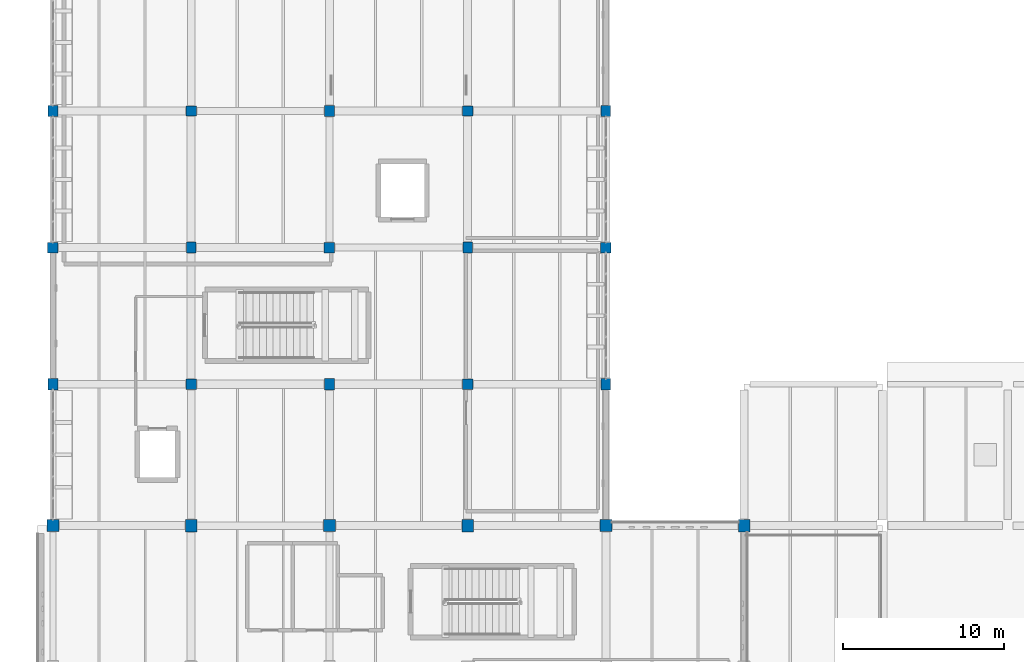
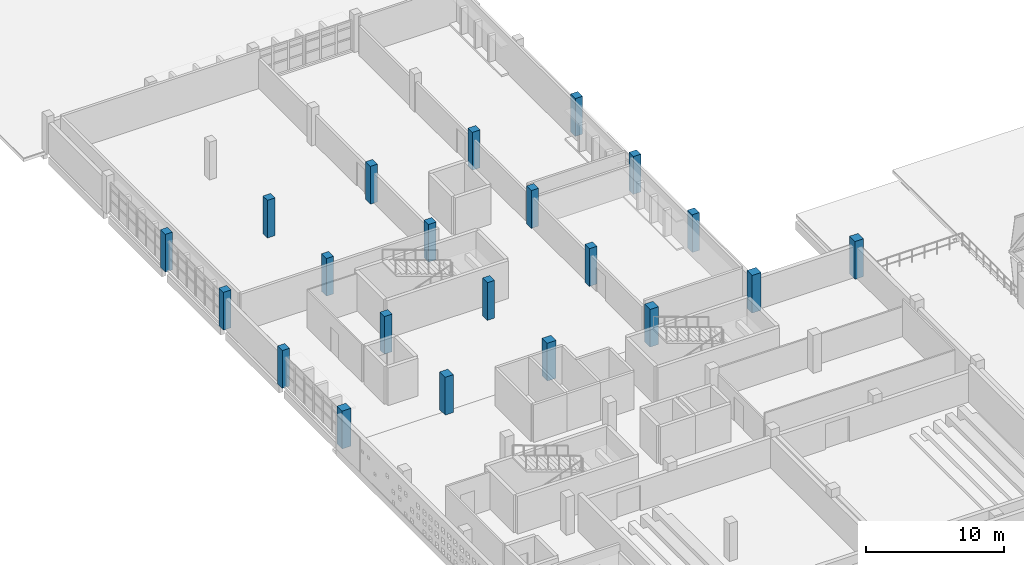
# One storey, part 4 of 93: 21 columns.
"""IFC4 building model written with IfcOpenShell, lengths in metres."""

from ifc_helpers import new_model, si_unit, direction, frame, origin, origin_2d, place, context, subcontext, project, spatial, rectangle, extrude, material, material_profile, profile_set, type_object, element, save


model = new_model("IFC4")

# Units and contexts
model_context = context("Model", 3, precision=1e-05, world=origin(), true_north=direction((0.0, 1.0)))
body_context = subcontext(model_context, "Body", "Model", "MODEL_VIEW")
ifc_project = project(units=[si_unit("LENGTHUNIT", "METRE"), si_unit("AREAUNIT", "SQUARE_METRE"), si_unit("VOLUMEUNIT", "CUBIC_METRE"), si_unit("PLANEANGLEUNIT", "RADIAN"), si_unit("MASSUNIT", "GRAM", prefix="KILO")], contexts=[model_context])

# Site, building, storey
site_placement = place(None, origin())
site = spatial("IfcSite", under=ifc_project, at=site_placement, CompositionType="ELEMENT")
building_placement = place(site_placement, origin())
building = spatial("IfcBuilding", under=site, at=building_placement, Name="Varnakota Cinema and Media Centre", CompositionType="ELEMENT")
storey_placement = place(building_placement, frame((0.0, 0.0, 12.0)))
storey = spatial("IfcBuildingStorey", under=building, at=storey_placement, Name="L03", CompositionType="ELEMENT", Elevation=12.0)

# Columns
ifc_material_1 = material(Name="Concrete M40", Category="concrete")
ifc_material_profile_1 = material_profile(ifc_material_1, rectangle(XDim=0.60009765625, YDim=0.699951171875, at=origin_2d()), Name="RC 600x700")
ifc_profile_set_1 = profile_set([ifc_material_profile_1], Name="Concrete M40")
column_type_1 = type_object("IfcColumnType", Name="COL-RC-600x700", PredefinedType="COLUMN", material=ifc_profile_set_1)
for number, where, z_axis, x_axis, name in (
    (1, (0.0, 44.0, 0.0), (0.0, 0.0, 1.0), (1.0, 0.0, 0.0), "L03 column A/6"),
    (2, (0.0, 61.0, 0.0), (0.0, 0.0, 1.0), (1.0, 0.0, 0.0), "L03 column A/8"),
    (3, (8.60009765625, 52.5, 0.0), (0.0, 0.0, 1.0), (1.0, 0.0, 0.0), "L03 column B/7"),
    (4, (17.199951171875, 44.0, 0.0), (0.0, 0.0, 1.0), (1.0, 0.0, 0.0), "L03 column C/6"),
    (5, (17.199951171875, 61.0, 0.0), (0.0, 0.0, 1.0), (1.0, 0.0, 0.0), "L03 column C/8"),
    (6, (25.800048828125, 52.5, 0.0), (0.0, 0.0, 1.0), (1.0, 0.0, 0.0), "L03 column D/7"),
    (7, (34.39990234375, 44.0, 0.0), (0.0, 0.0, 1.0), (1.0, 0.0, 0.0), "L03 column E/6"),
    (8, (34.39990234375, 61.0, 0.0), (0.0, 0.0, 1.0), (1.0, 0.0, 0.0), "L03 column E/8"),
):
    element("IfcColumn", number, at=place(storey_placement, frame(where, z_axis=z_axis, x_axis=x_axis)), inside=storey, type_object=column_type_1, Name=name, PredefinedType="COLUMN", context=body_context, shape_type="SweptSolid", body=[
        extrude(rectangle(XDim=0.60009765625, YDim=0.699951171875, at=origin_2d()), origin(), (0.0, 0.0, 1.0), 3.35009765625),
    ])
ifc_material_2 = material(Name="Concrete M40", Category="concrete")
ifc_material_profile_2 = material_profile(ifc_material_2, rectangle(XDim=0.64990234375, YDim=0.64990234375, at=origin_2d()), Name="RC 650x650")
ifc_profile_set_2 = profile_set([ifc_material_profile_2], Name="Concrete M40")
column_type_2 = type_object("IfcColumnType", Name="COL-RC-650x650", PredefinedType="COLUMN", material=ifc_profile_set_2)
for number, where, z_axis, x_axis, name in (
    (9, (0.0, 52.5, 0.0), (0.0, 0.0, 1.0), (1.0, 0.0, 0.0), "L03 column A/7"),
    (10, (8.60009765625, 44.0, 0.0), (0.0, 0.0, 1.0), (1.0, 0.0, 0.0), "L03 column B/6"),
    (11, (8.60009765625, 61.0, 0.0), (0.0, 0.0, 1.0), (1.0, 0.0, 0.0), "L03 column B/8"),
    (12, (17.199951171875, 52.5, 0.0), (0.0, 0.0, 1.0), (1.0, 0.0, 0.0), "L03 column C/7"),
    (13, (25.800048828125, 44.0, 0.0), (0.0, 0.0, 1.0), (1.0, 0.0, 0.0), "L03 column D/6"),
    (14, (25.800048828125, 61.0, 0.0), (0.0, 0.0, 1.0), (1.0, 0.0, 0.0), "L03 column D/8"),
    (15, (34.39990234375, 52.5, 0.0), (0.0, 0.0, 1.0), (1.0, 0.0, 0.0), "L03 column E/7"),
):
    element("IfcColumn", number, at=place(storey_placement, frame(where, z_axis=z_axis, x_axis=x_axis)), inside=storey, type_object=column_type_2, Name=name, PredefinedType="COLUMN", context=body_context, shape_type="SweptSolid", body=[
        extrude(rectangle(XDim=0.64990234375, YDim=0.64990234375, at=origin_2d()), origin(), (0.0, 0.0, 1.0), 3.35009765625),
    ])
ifc_material_3 = material(Name="Concrete M40", Category="concrete")
ifc_material_profile_3 = material_profile(ifc_material_3, rectangle(XDim=0.699951171875, YDim=0.800048828125, at=origin_2d()), Name="RC 700x800")
ifc_profile_set_3 = profile_set([ifc_material_profile_3], Name="Concrete M40")
column_type_3 = type_object("IfcColumnType", Name="COL-RC-700x800", PredefinedType="COLUMN", material=ifc_profile_set_3)
for number, where, z_axis, x_axis, name in (
    (16, (8.60009765625, 35.199951171875, 0.0), (0.0, 0.0, 1.0), (1.0, 0.0, 0.0), "L03 column B/5"),
    (17, (25.800048828125, 35.199951171875, 0.0), (0.0, 0.0, 1.0), (1.0, 0.0, 0.0), "L03 column D/5"),
    (18, (43.0, 35.199951171875, 0.0), (0.0, 0.0, 1.0), (1.0, 0.0, 0.0), "L03 column F/5"),
):
    element("IfcColumn", number, at=place(storey_placement, frame(where, z_axis=z_axis, x_axis=x_axis)), inside=storey, type_object=column_type_3, Name=name, PredefinedType="COLUMN", context=body_context, shape_type="SweptSolid", body=[
        extrude(rectangle(XDim=0.699951171875, YDim=0.800048828125, at=origin_2d()), origin(), (0.0, 0.0, 1.0), 3.35009765625),
    ])
ifc_material_4 = material(Name="Concrete M40", Category="concrete")
ifc_material_profile_4 = material_profile(ifc_material_4, rectangle(XDim=0.75, YDim=0.75, at=origin_2d()), Name="RC 750x750")
ifc_profile_set_4 = profile_set([ifc_material_profile_4], Name="Concrete M40")
column_type_4 = type_object("IfcColumnType", Name="COL-RC-750x750", PredefinedType="COLUMN", material=ifc_profile_set_4)
for number, where, z_axis, x_axis, name in (
    (19, (0.0, 35.199951171875, 0.0), (0.0, 0.0, 1.0), (1.0, 0.0, 0.0), "L03 column A/5"),
    (20, (17.199951171875, 35.199951171875, 0.0), (0.0, 0.0, 1.0), (1.0, 0.0, 0.0), "L03 column C/5"),
    (21, (34.39990234375, 35.199951171875, 0.0), (0.0, 0.0, 1.0), (1.0, 0.0, 0.0), "L03 column E/5"),
):
    element("IfcColumn", number, at=place(storey_placement, frame(where, z_axis=z_axis, x_axis=x_axis)), inside=storey, type_object=column_type_4, Name=name, PredefinedType="COLUMN", context=body_context, shape_type="SweptSolid", body=[
        extrude(rectangle(XDim=0.75, YDim=0.75, at=origin_2d()), origin(), (0.0, 0.0, 1.0), 3.35009765625),
    ])

save(model, "model.ifc")
